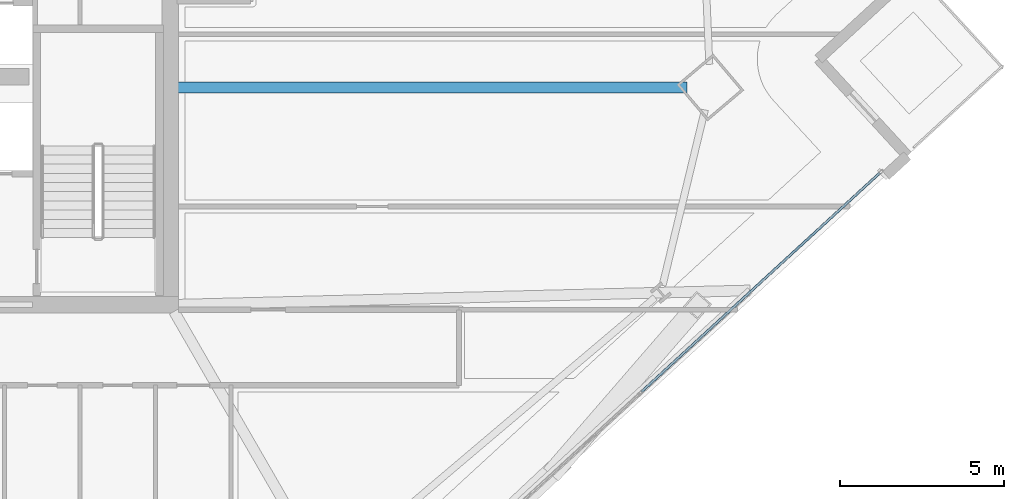
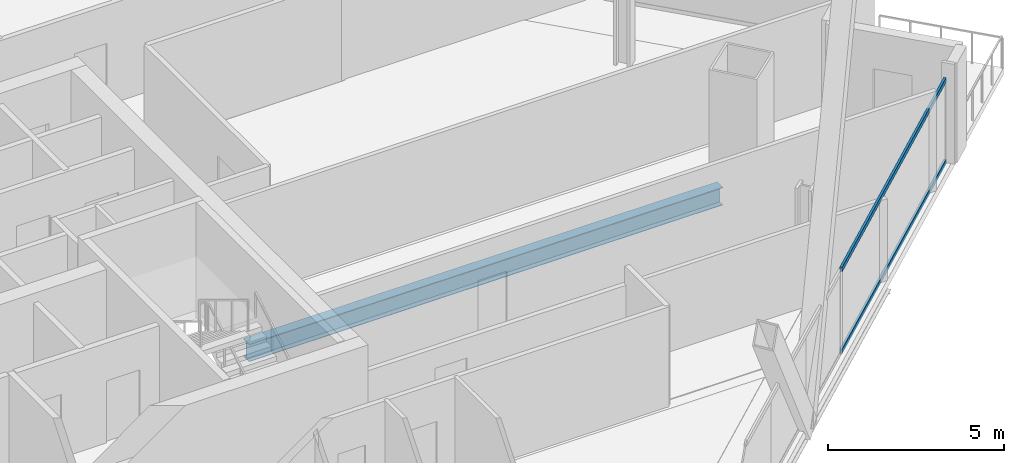
# One storey, part 11 of 32: 2 members, 1 beam, 1 element without a shape of its own.
"""IFC4 building model written with IfcOpenShell, lengths in metres."""

from ifc_helpers import new_model, si_unit, direction, frame, origin, origin_2d, place, context, subcontext, project, spatial, hollow_rectangle, i_section, extrude, material, material_profile, profile_set, type_object, element, aggregate, save


model = new_model("IFC4")

# Units and contexts
model_context = context("Model", 3, precision=1e-05, world=origin(), true_north=direction((0.0, 1.0)))
body_context = subcontext(model_context, "Body", "Model", "MODEL_VIEW")
ifc_project = project(units=[si_unit("LENGTHUNIT", "METRE"), si_unit("AREAUNIT", "SQUARE_METRE"), si_unit("VOLUMEUNIT", "CUBIC_METRE"), si_unit("PLANEANGLEUNIT", "RADIAN"), si_unit("MASSUNIT", "GRAM", prefix="KILO")], contexts=[model_context])

# Site, building, storey
site_placement = place(None, origin())
site = spatial("IfcSite", under=ifc_project, at=site_placement, CompositionType="ELEMENT")
building_placement = place(site_placement, origin())
building = spatial("IfcBuilding", under=site, at=building_placement, Name="Haldenkirk Collegiate Tower", CompositionType="ELEMENT")
storey_placement = place(building_placement, frame((0.0, 0.0, 170.699951171875)))
storey = spatial("IfcBuildingStorey", under=building, at=storey_placement, Name="L42", CompositionType="ELEMENT", Elevation=170.699951171875)

# Beam
ifc_material_1 = material(Name="Steel ASTM A992 Grade 50", Category="steel")
ifc_material_profile_1 = material_profile(ifc_material_1, i_section(OverallWidth=0.324951171875, OverallDepth=0.615966796875, WebThickness=0.013916015625, FlangeThickness=0.021484375, at=origin_2d()), Name="W24X117")
ifc_profile_set_1 = profile_set([ifc_material_profile_1], Name="Steel ASTM A992 Grade 50")
beam_type = type_object("IfcBeamType", Name="BM-GIRDER-W24X117", PredefinedType="BEAM", material=ifc_profile_set_1)
beam_placement = place(storey_placement, frame((60.760009765625, 24.62890625, -0.597900390625), z_axis=(-1.0, 0.0, 0.0), x_axis=(0.0, -1.0, 0.0)))
element("IfcBeam", 1, at=beam_placement, inside=storey, type_object=beam_type, Name="L42 primary floor girder 02", PredefinedType="BEAM", context=body_context, shape_type="SweptSolid", body=[
    extrude(i_section(OverallWidth=0.324951171875, OverallDepth=0.615966796875, WebThickness=0.013916015625, FlangeThickness=0.021484375, at=origin_2d()), origin(), (0.0, 0.0, 1.0), 15.530029296875),
])

# Curtain wall, members
ifc_material_2 = material(Name="Anodised architectural bronze aluminium", Category="aluminium")
curtain_wall_type = type_object("IfcCurtainWallType", Name="CW-SYS2-CONCAVE", PredefinedType="USERDEFINED", material=ifc_material_2)
curtain_wall_placement = place(storey_placement, origin())
curtain_wall = element("IfcCurtainWall", 2, at=curtain_wall_placement, inside=storey, type_object=curtain_wall_type, Name="L42 South concave recessed bronze-anodised curtain wall", ObjectType="UNITISED CURTAIN WALL", PredefinedType="USERDEFINED")
ifc_material_profile_2 = material_profile(ifc_material_2, hollow_rectangle(XDim=0.074951171875, YDim=0.159912109375, WallThickness=0.0048828125, at=origin_2d()), Name="CW-TRN-02")
ifc_profile_set_2 = profile_set([ifc_material_profile_2], Name="Anodised architectural bronze aluminium")
member_type = type_object("IfcMemberType", Name="CW-TRN-02", PredefinedType="USERDEFINED", material=ifc_profile_set_2)
member_1_placement = place(storey_placement, frame((66.63134765625, 22.021240234375, 0.03759765625), z_axis=(-0.736685407747, -0.676235617232, 0.0), x_axis=(0.676235617232, -0.736685407747, 0.0)))
member_1 = element("IfcMember", 3, at=member_1_placement, type_object=member_type, Name="CW-02 transom 1.1", ObjectType="TRANSOM", PredefinedType="USERDEFINED", context=body_context, shape_type="SweptSolid", body=[
    extrude(hollow_rectangle(XDim=0.074951171875, YDim=0.159912109375, WallThickness=0.0048828125, at=origin_2d()), origin(), (0.0, 0.0, 1.0), 9.862548828125),
])
member_2_placement = place(storey_placement, frame((66.63134765625, 22.021240234375, 2.87353515625), z_axis=(-0.736685407747, -0.676235617232, 0.0), x_axis=(0.676235617232, -0.736685407747, 0.0)))
member_2 = element("IfcMember", 4, at=member_2_placement, type_object=member_type, Name="CW-02 transom 1.2", ObjectType="TRANSOM", PredefinedType="USERDEFINED", context=body_context, shape_type="SweptSolid", body=[
    extrude(hollow_rectangle(XDim=0.074951171875, YDim=0.159912109375, WallThickness=0.0048828125, at=origin_2d()), origin(), (0.0, 0.0, 1.0), 9.862548828125),
])
aggregate(curtain_wall, [member_1, member_2])

save(model, "model.ifc")
